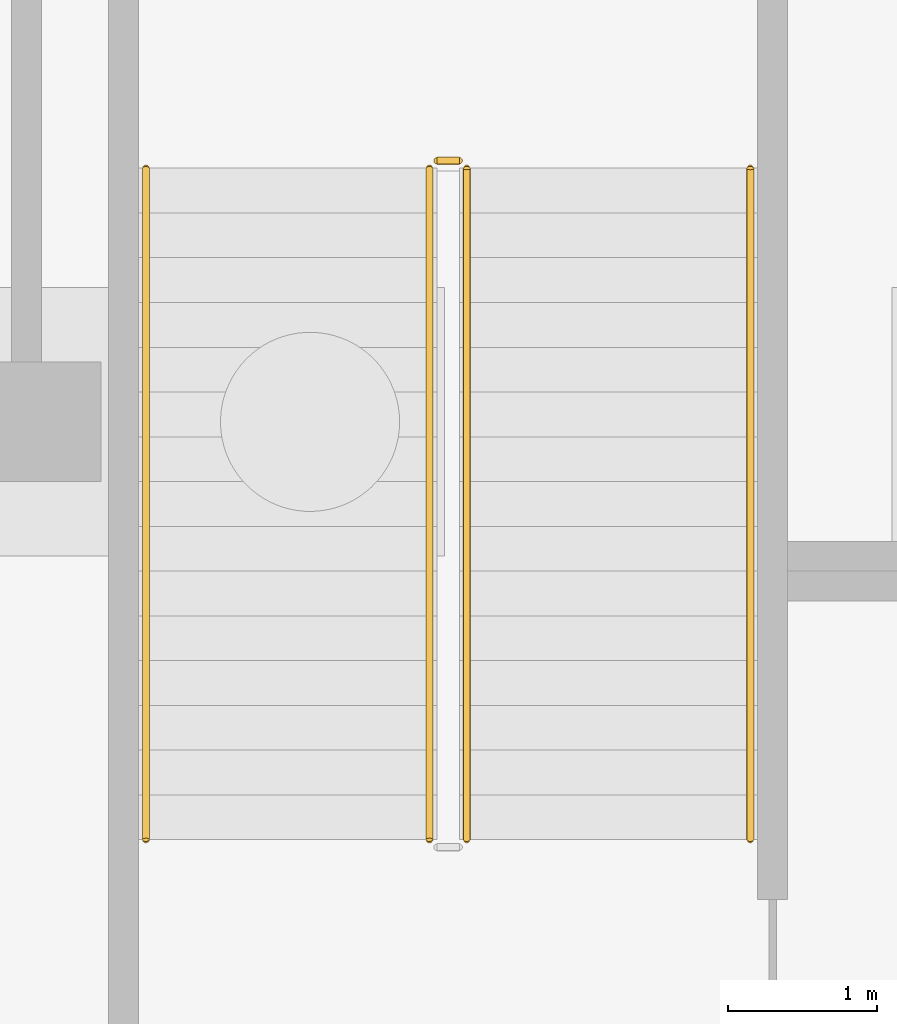
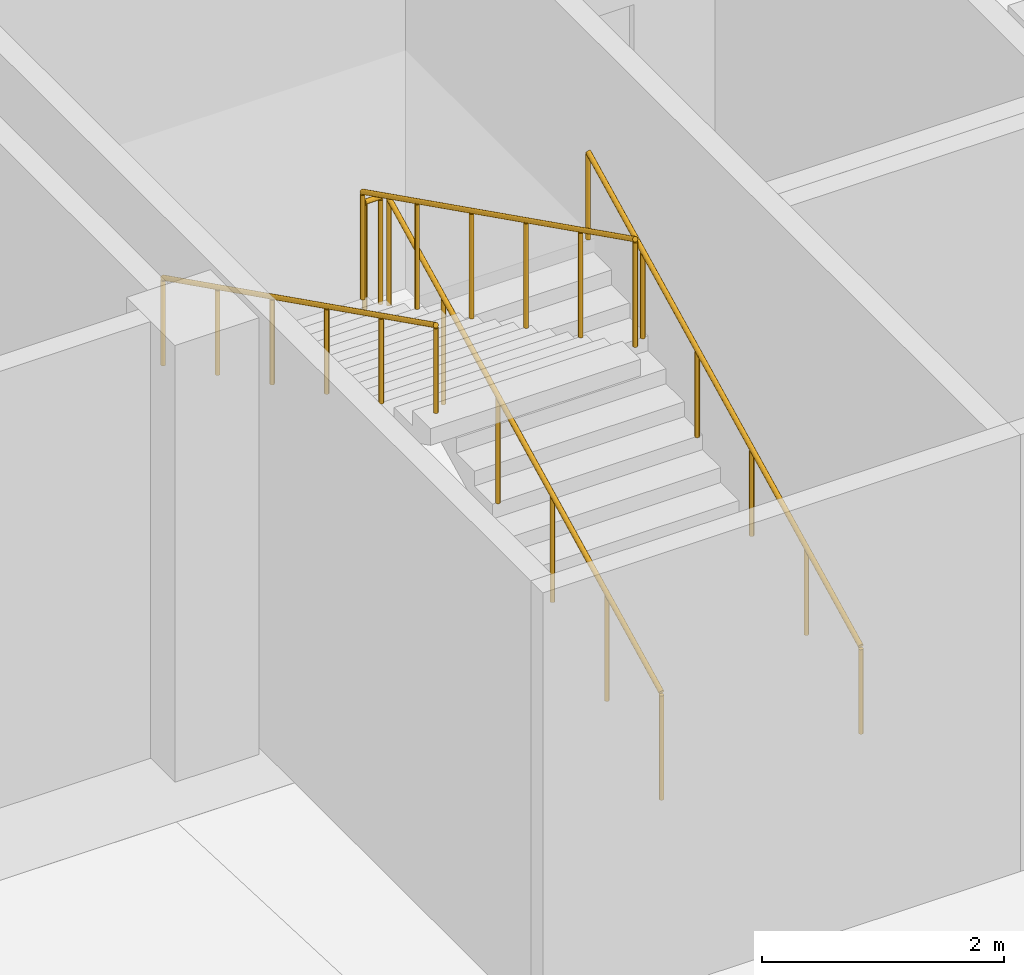
# One storey, part 40 of 46: 5 railings.
"""IFC4 building model written with IfcOpenShell, lengths in metres."""

from ifc_helpers import new_model, si_unit, direction, frame, origin, origin_2d, place, context, subcontext, project, spatial, circle, extrude, material, type_object, element, save


model = new_model("IFC4")

# Units and contexts
model_context = context("Model", 3, precision=1e-05, world=origin(), true_north=direction((0.0, 1.0)))
body_context = subcontext(model_context, "Body", "Model", "MODEL_VIEW")
ifc_project = project(units=[si_unit("LENGTHUNIT", "METRE"), si_unit("AREAUNIT", "SQUARE_METRE"), si_unit("VOLUMEUNIT", "CUBIC_METRE"), si_unit("PLANEANGLEUNIT", "RADIAN"), si_unit("MASSUNIT", "GRAM", prefix="KILO")], contexts=[model_context])

# Site, building, storey
site_placement = place(None, origin())
site = spatial("IfcSite", under=ifc_project, at=site_placement, CompositionType="ELEMENT")
building_placement = place(site_placement, origin())
building = spatial("IfcBuilding", under=site, at=building_placement, Name="Tamra Quay Hotel Tower", CompositionType="ELEMENT")
storey_placement = place(building_placement, frame((0.0, 0.0, -12.0)))
storey = spatial("IfcBuildingStorey", under=building, at=storey_placement, Name="B3", CompositionType="ELEMENT", Elevation=-12.0)

# Railings
ifc_material_1 = material(Name="Basement stair guard 1100")
railing_type_1 = type_object("IfcRailingType", Name="Basement stair guard 1100", PredefinedType="GUARDRAIL", material=ifc_material_1)
railing_1_placement = place(storey_placement, frame((31.35009765625, 13.199951171875, 0.14990234375)))
element("IfcRailing", 1, at=railing_1_placement, inside=storey, type_object=railing_type_1, Name="BSG", PredefinedType="GUARDRAIL", context=body_context, shape_type="SweptSolid", body=[
    extrude(circle(Radius=0.02392578125, at=origin_2d()), frame((0.0, 0.0, 1.076171875), z_axis=(0.0, 0.894427191, 0.4472135955), x_axis=(-1.0, 0.0, 0.0)), (0.0, 0.0, 1.0), 5.03125),
    extrude(circle(Radius=0.02099609375, at=origin_2d()), origin(), (0.0, 0.0, 1.0), 1.052001953125),
    extrude(circle(Radius=0.02099609375, at=origin_2d()), frame((0.0, 0.89990234375, 0.449951171875)), (0.0, 0.0, 1.0), 1.052001953125),
    extrude(circle(Radius=0.02099609375, at=origin_2d()), frame((0.0, 1.800048828125, 0.89990234375)), (0.0, 0.0, 1.0), 1.052001953125),
    extrude(circle(Radius=0.02099609375, at=origin_2d()), frame((0.0, 2.699951171875, 1.35009765625)), (0.0, 0.0, 1.0), 1.052001953125),
    extrude(circle(Radius=0.02099609375, at=origin_2d()), frame((0.0, 3.60009765625, 1.800048828125)), (0.0, 0.0, 1.0), 1.052001953125),
    extrude(circle(Radius=0.02099609375, at=origin_2d()), frame((0.0, 4.5, 2.25)), (0.0, 0.0, 1.0), 1.052001953125),
])
railing_2_placement = place(storey_placement, frame((31.300048828125, 17.75, 2.39990234375)))
element("IfcRailing", 2, at=railing_2_placement, inside=storey, type_object=railing_type_1, Name="BSG", PredefinedType="GUARDRAIL", context=body_context, shape_type="SweptSolid", body=[
    extrude(circle(Radius=0.02392578125, at=origin_2d()), frame((0.0, 0.0, 1.076171875), z_axis=(-1.0, 0.0, 0.0), x_axis=(0.0, -1.0, 0.0)), (0.0, 0.0, 1.0), 0.150146484375),
    extrude(circle(Radius=0.02099609375, at=origin_2d()), origin(), (0.0, 0.0, 1.0), 1.052001953125),
    extrude(circle(Radius=0.02099609375, at=origin_2d()), frame((-0.150146484375, 0.0, 0.0)), (0.0, 0.0, 1.0), 1.052001953125),
])
railing_3_placement = place(storey_placement, frame((31.10009765625, 17.699951171875, 2.550048828125)))
element("IfcRailing", 3, at=railing_3_placement, inside=storey, type_object=railing_type_1, Name="BSG", PredefinedType="GUARDRAIL", context=body_context, shape_type="SweptSolid", body=[
    extrude(circle(Radius=0.02392578125, at=origin_2d()), frame((0.0, 0.0, 1.076171875), z_axis=(0.0, -0.894427191, 0.4472135955), x_axis=(1.0, 0.0, 0.0)), (0.0, 0.0, 1.0), 5.03125),
    extrude(circle(Radius=0.02099609375, at=origin_2d()), origin(), (0.0, 0.0, 1.0), 1.052001953125),
    extrude(circle(Radius=0.02099609375, at=origin_2d()), frame((0.0, -0.89990234375, 0.449951171875)), (0.0, 0.0, 1.0), 1.052001953125),
    extrude(circle(Radius=0.02099609375, at=origin_2d()), frame((0.0, -1.800048828125, 0.89990234375)), (0.0, 0.0, 1.0), 1.052001953125),
    extrude(circle(Radius=0.02099609375, at=origin_2d()), frame((0.0, -2.699951171875, 1.35009765625)), (0.0, 0.0, 1.0), 1.052001953125),
    extrude(circle(Radius=0.02099609375, at=origin_2d()), frame((0.0, -3.60009765625, 1.800048828125)), (0.0, 0.0, 1.0), 1.052001953125),
    extrude(circle(Radius=0.02099609375, at=origin_2d()), frame((0.0, -4.5, 2.25)), (0.0, 0.0, 1.0), 1.052001953125),
])
ifc_material_2 = material(Name="Basement stair handrail 900")
railing_type_2 = type_object("IfcRailingType", Name="Basement stair handrail 900", PredefinedType="HANDRAIL", material=ifc_material_2)
railing_4_placement = place(storey_placement, frame((33.25, 13.199951171875, 0.14990234375)))
element("IfcRailing", 4, at=railing_4_placement, inside=storey, type_object=railing_type_2, Name="BSH", PredefinedType="HANDRAIL", context=body_context, shape_type="SweptSolid", body=[
    extrude(circle(Radius=0.02392578125, at=origin_2d()), frame((0.0, 0.0, 0.8759765625), z_axis=(0.0, 0.894427191, 0.4472135955), x_axis=(-1.0, 0.0, 0.0)), (0.0, 0.0, 1.0), 5.03125),
    extrude(circle(Radius=0.02099609375, at=origin_2d()), origin(), (0.0, 0.0, 1.0), 0.851806640625),
    extrude(circle(Radius=0.02099609375, at=origin_2d()), frame((0.0, 0.89990234375, 0.449951171875)), (0.0, 0.0, 1.0), 0.851806640625),
    extrude(circle(Radius=0.02099609375, at=origin_2d()), frame((0.0, 1.800048828125, 0.89990234375)), (0.0, 0.0, 1.0), 0.851806640625),
    extrude(circle(Radius=0.02099609375, at=origin_2d()), frame((0.0, 2.699951171875, 1.35009765625)), (0.0, 0.0, 1.0), 0.851806640625),
    extrude(circle(Radius=0.02099609375, at=origin_2d()), frame((0.0, 3.60009765625, 1.800048828125)), (0.0, 0.0, 1.0), 0.851806640625),
    extrude(circle(Radius=0.02099609375, at=origin_2d()), frame((0.0, 4.5, 2.25)), (0.0, 0.0, 1.0), 0.851806640625),
])
railing_5_placement = place(storey_placement, frame((29.199951171875, 17.699951171875, 2.550048828125)))
element("IfcRailing", 5, at=railing_5_placement, inside=storey, type_object=railing_type_2, Name="BSH", PredefinedType="HANDRAIL", context=body_context, shape_type="SweptSolid", body=[
    extrude(circle(Radius=0.02392578125, at=origin_2d()), frame((0.0, 0.0, 0.8759765625), z_axis=(0.0, -0.894427191, 0.4472135955), x_axis=(1.0, 0.0, 0.0)), (0.0, 0.0, 1.0), 5.03125),
    extrude(circle(Radius=0.02099609375, at=origin_2d()), origin(), (0.0, 0.0, 1.0), 0.851806640625),
    extrude(circle(Radius=0.02099609375, at=origin_2d()), frame((0.0, -0.89990234375, 0.449951171875)), (0.0, 0.0, 1.0), 0.851806640625),
    extrude(circle(Radius=0.02099609375, at=origin_2d()), frame((0.0, -1.800048828125, 0.89990234375)), (0.0, 0.0, 1.0), 0.851806640625),
    extrude(circle(Radius=0.02099609375, at=origin_2d()), frame((0.0, -2.699951171875, 1.35009765625)), (0.0, 0.0, 1.0), 0.851806640625),
    extrude(circle(Radius=0.02099609375, at=origin_2d()), frame((0.0, -3.60009765625, 1.800048828125)), (0.0, 0.0, 1.0), 0.851806640625),
    extrude(circle(Radius=0.02099609375, at=origin_2d()), frame((0.0, -4.5, 2.25)), (0.0, 0.0, 1.0), 0.851806640625),
])

save(model, "model.ifc")
